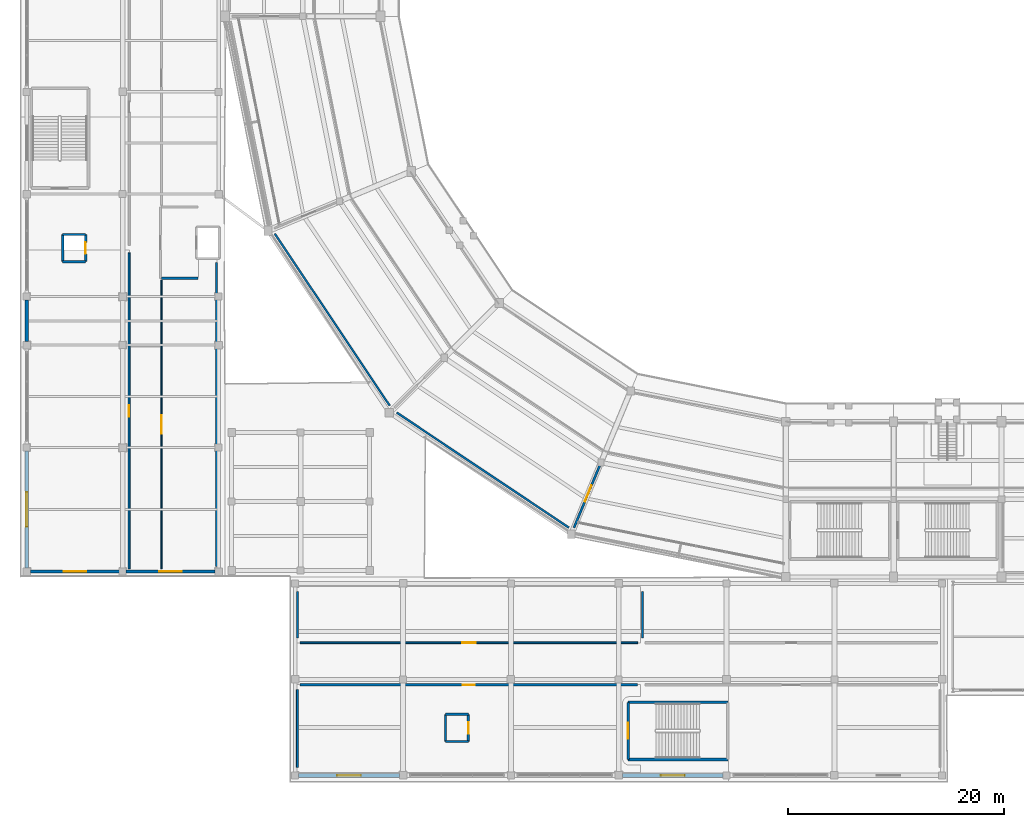
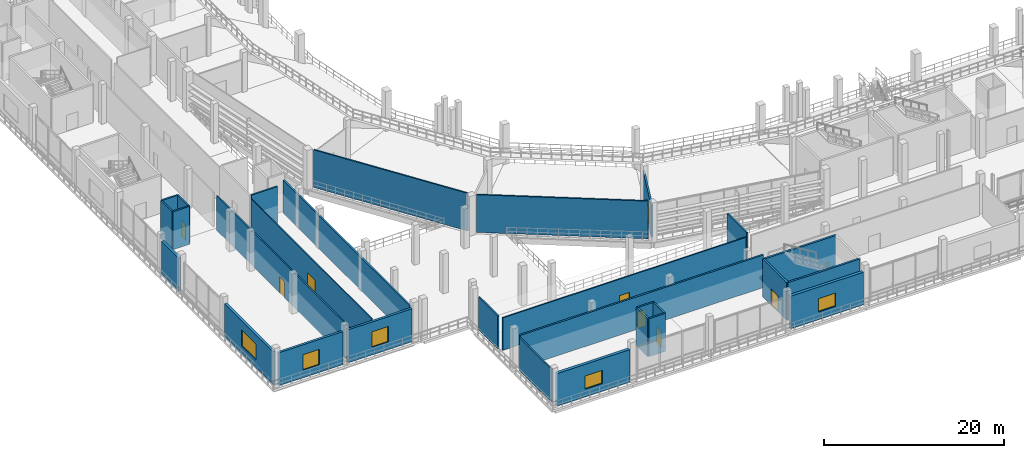
# One storey, part 72 of 127: 29 walls, 8 doors, 5 windows, 13 openings.
"""IFC4 building model written with IfcOpenShell, lengths in metres."""

from ifc_helpers import new_model, si_unit, direction, frame, frame_2d, origin, place, context, subcontext, project, spatial, rectangle, extrude, material, layer, layer_set, type_object, element, fill, save


model = new_model("IFC4")

# Units and contexts
model_context = context("Model", 3, precision=1e-05, world=origin(), true_north=direction((0.0, 1.0)))
body_context = subcontext(model_context, "Body", "Model", "MODEL_VIEW")
ifc_project = project(units=[si_unit("LENGTHUNIT", "METRE"), si_unit("AREAUNIT", "SQUARE_METRE"), si_unit("VOLUMEUNIT", "CUBIC_METRE"), si_unit("PLANEANGLEUNIT", "RADIAN"), si_unit("MASSUNIT", "GRAM", prefix="KILO")], contexts=[model_context])

# Site, building, storey
site_placement = place(None, origin())
site = spatial("IfcSite", under=ifc_project, at=site_placement, CompositionType="ELEMENT")
building_placement = place(site_placement, origin())
building = spatial("IfcBuilding", under=site, at=building_placement, Name="Candeia Ridge Stadium", CompositionType="ELEMENT")
storey_placement = place(building_placement, frame((0.0, 0.0, 10.800048828125)))
storey = spatial("IfcBuildingStorey", under=building, at=storey_placement, Name="L02", CompositionType="ELEMENT", Elevation=10.800048828125)

# Walls
ifc_material_1 = material(Name="Concrete C40/50", Category="concrete")
ifc_layer_1 = layer(ifc_material_1, 0.25, Name="Concrete C40/50", Category="concrete")
ifc_layer_set_1 = layer_set([ifc_layer_1], Name="Concrete C40/50")
wall_type_1 = type_object("IfcWallType", Name="Core Shear Wall Concrete 250", PredefinedType="SHEAR", material=ifc_layer_set_1)
for number, where, z_axis, x_axis, name in (
    (1, (56.37548828125, 2.075439453125, 0.0), (0.0, 0.0, 1.0), (1.0, 0.0, 0.0), "Core C13 left shear wall L02"),
    (2, (65.62451171875, 7.37451171875, 0.0), (0.0, 0.0, 1.0), (-1.0, 0.0, 0.0), "Core C13 right shear wall L02"),
):
    element("IfcWall", number, at=place(storey_placement, frame(where, z_axis=z_axis, x_axis=x_axis)), inside=storey, type_object=wall_type_1, Name=name, PredefinedType="SHEAR", context=body_context, shape_type="SweptSolid", body=[
        extrude(rectangle(XDim=9.2490234375, YDim=0.25, at=frame_2d((4.62451171875, 0.0))), origin(), (0.0, 0.0, 1.0), 5.14990234375),
    ])

# Wall, opening, door
wall_1_placement = place(storey_placement, frame((56.37548828125, 7.37451171875, 0.0), z_axis=(0.0, 0.0, 1.0), x_axis=(0.0, -1.0, 0.0)))
wall_1 = element("IfcWall", 3, at=wall_1_placement, inside=storey, type_object=wall_type_1, Name="Core C13 near shear wall L02", PredefinedType="SHEAR", context=body_context, shape_type="SweptSolid", body=[
    extrude(rectangle(XDim=5.299072265625, YDim=0.25, at=frame_2d((2.6494140625, 0.0))), origin(), (0.0, 0.0, 1.0), 5.14990234375),
])
opening_1_placement = place(wall_1_placement, frame((1.899658203125, 0.0, 0.0)))
opening_1 = element("IfcOpeningElement", 4, at=opening_1_placement, cuts=wall_1, Name="Opening FD01", PredefinedType="OPENING", context=body_context, shape_type="SweptSolid", body=[
    extrude(rectangle(XDim=1.5, YDim=2.199951171875, at=frame_2d((0.75, 1.10009765625))), frame((0.0, 0.135009765625, 0.0), z_axis=(0.0, -1.0, 0.0), x_axis=(1.0, 0.0, 0.0)), (0.0, 0.0, 1.0), 0.27001953125),
])
ifc_material_2 = material(Name="Galvanized Fire-Rated Steel", Category="steel")
door_type_1 = type_object("IfcDoorType", Name="Exit Stair Core Fire Door 1500x2200", OperationType="NOTDEFINED", PredefinedType="DOOR", material=ifc_material_2)
door_1_placement = place(opening_1_placement, origin())
door_1 = element("IfcDoor", 5, at=door_1_placement, inside=storey, type_object=door_type_1, Name="Exit stair fire door SD-ST13-L02", OperationType="DOUBLE_DOOR_SINGLE_SWING", OverallHeight=2.199951171875, OverallWidth=1.5, PredefinedType="DOOR", context=body_context, shape_type="SweptSolid", body=[
    extrude(rectangle(XDim=1.5, YDim=2.199951171875, at=frame_2d((0.75, 1.10009765625))), frame((0.0, 0.02490234375, 0.0), z_axis=(0.0, -1.0, 0.0), x_axis=(1.0, 0.0, 0.0)), (0.0, 0.0, 1.0), 0.050048828125),
])
fill(opening_1, door_1)

# Walls
ifc_material_3 = material(Name="Gypsum Acoustic Twin-Stud Assembly", Category="gypsum")
ifc_layer_2 = layer(ifc_material_3, 0.179931640625, Name="Gypsum Acoustic Twin-Stud Assembly", Category="gypsum")
ifc_layer_set_2 = layer_set([ifc_layer_2], Name="Gypsum Acoustic Twin-Stud Assembly")
wall_type_2 = type_object("IfcWallType", Name="Corridor Fire Partition 180", PredefinedType="PARTITIONING", material=ifc_layer_set_2)
wall_2_placement = place(storey_placement, frame((25.699951171875, 1.35009765625, 0.0), z_axis=(0.0, 0.0, 1.0), x_axis=(0.0, 1.0, 0.0)))
element("IfcWall", 6, at=wall_2_placement, inside=storey, type_object=wall_type_2, Name="Demising partition PT-L02-0388", PredefinedType="PARTITIONING", context=body_context, shape_type="SweptSolid", body=[
    extrude(rectangle(XDim=7.199951171875, YDim=0.179931640625, at=frame_2d((3.60009765625, 0.0))), origin(), (0.0, 0.0, 1.0), 4.48486328125),
])
wall_3_placement = place(storey_placement, frame((34.26318359375, 34.887451171875, 0.0), z_axis=(0.0, 0.0, 1.0), x_axis=(-0.555562946988, 0.831474480627, 0.0)))
element("IfcWall", 7, at=wall_3_placement, inside=storey, type_object=wall_type_2, Name="Demising partition PT-L02-0472", PredefinedType="PARTITIONING", context=body_context, shape_type="SweptSolid", body=[
    extrude(rectangle(XDim=19.1923828125, YDim=0.179931640625, at=frame_2d((9.59619140625, 0.0))), origin(), (0.0, 0.0, 1.0), 5.119873046875),
])

# Wall, opening, door
ifc_material_4 = material(Name="Moisture-Resistant Masonry & Tile", Category="masonry")
ifc_layer_3 = layer(ifc_material_4, 0.22998046875, Name="Moisture-Resistant Masonry & Tile", Category="masonry")
ifc_layer_set_3 = layer_set([ifc_layer_3], Name="Moisture-Resistant Masonry & Tile")
wall_type_3 = type_object("IfcWallType", Name="Dressing Suite Wet-Wall Chase 230", PredefinedType="PLUMBINGWALL", material=ifc_layer_set_3)
wall_4_placement = place(storey_placement, frame((25.949951171875, 9.0, 0.0), z_axis=(0.0, 0.0, 1.0), x_axis=(1.0, 0.0, 0.0)))
wall_4 = element("IfcWall", 8, at=wall_4_placement, inside=storey, type_object=wall_type_3, Name="Interior partition PT-L02-0387", PredefinedType="PLUMBINGWALL", context=body_context, shape_type="SweptSolid", body=[
    extrude(rectangle(XDim=31.300048828125, YDim=0.22998046875, at=frame_2d((15.64990234375, 0.0))), origin(), (0.0, 0.0, 1.0), 4.43505859375),
])
opening_2_placement = place(wall_4_placement, frame((15.110107421875, 0.0, 0.0)))
opening_2 = element("IfcOpeningElement", 9, at=opening_2_placement, cuts=wall_4, Name="Opening ID08", PredefinedType="OPENING", context=body_context, shape_type="SweptSolid", body=[
    extrude(rectangle(XDim=1.080078125, YDim=2.25, at=frame_2d((0.5400390625, 1.125))), frame((0.0, 0.125, 0.0), z_axis=(0.0, -1.0, 0.0), x_axis=(1.0, 0.0, 0.0)), (0.0, 0.0, 1.0), 0.25),
])
ifc_material_5 = material(Name="Western Red Cedar Acoustic Veneer", Category="wood")
door_type_2 = type_object("IfcDoorType", Name="Executive Skybox Entry Door 1080x2250", OperationType="NOTDEFINED", PredefinedType="DOOR", material=ifc_material_5)
door_2_placement = place(opening_2_placement, frame((1.080078125, 0.0, 0.0), z_axis=(0.0, 0.0, 1.0), x_axis=(-1.0, 0.0, 0.0)))
door_2 = element("IfcDoor", 10, at=door_2_placement, inside=storey, type_object=door_type_2, Name="Interior room door D-L02-0201", OperationType="SINGLE_SWING_LEFT", OverallHeight=2.25, OverallWidth=1.080078125, PredefinedType="DOOR", context=body_context, shape_type="SweptSolid", body=[
    extrude(rectangle(XDim=1.080078125, YDim=2.25, at=frame_2d((0.5400390625, 1.125))), frame((0.0, 0.02490234375, 0.0), z_axis=(0.0, -1.0, 0.0), x_axis=(1.0, 0.0, 0.0)), (0.0, 0.0, 1.0), 0.050048828125),
])
fill(opening_2, door_2)

# Wall, opening, window
ifc_material_6 = material(Name="Concrete C35/45", Category="concrete")
ifc_layer_4 = layer(ifc_material_6, 0.320068359375, Name="Concrete C35/45", Category="concrete")
ifc_layer_set_4 = layer_set([ifc_layer_4], Name="Concrete C35/45")
wall_type_4 = type_object("IfcWallType", Name="Exterior Cedar-Clad Insulated Wall 320", PredefinedType="SOLIDWALL", material=ifc_layer_set_4)
wall_5_placement = place(storey_placement, frame((0.60009765625, 19.837890625, 0.0), z_axis=(0.0, 0.0, 1.0), x_axis=(0.0, 1.0, 0.0)))
wall_5 = element("IfcWall", 11, at=wall_5_placement, inside=storey, type_object=wall_type_4, Name="Exterior facade wall EW-L02-0075", PredefinedType="SOLIDWALL", context=body_context, shape_type="SweptSolid", body=[
    extrude(rectangle(XDim=10.84912109375, YDim=0.320068359375, at=frame_2d((5.424560546875, 0.0))), origin(), (0.0, 0.0, 1.0), 4.48486328125),
])
opening_3_placement = place(wall_5_placement, frame((3.824462890625, 0.0, 1.050048828125)))
opening_3 = element("IfcOpeningElement", 12, at=opening_3_placement, cuts=wall_5, Name="Opening W05", PredefinedType="OPENING", context=body_context, shape_type="SweptSolid", body=[
    extrude(rectangle(XDim=3.199951171875, YDim=2.199951171875, at=frame_2d((1.60009765625, 1.10009765625))), frame((0.0, 0.169921875, 0.0), z_axis=(0.0, -1.0, 0.0), x_axis=(1.0, 0.0, 0.0)), (0.0, 0.0, 1.0), 0.340087890625),
])
ifc_material_7 = material(Name="Tempered Solar-Control Double Glazing", Category="glass")
window_type_1 = type_object("IfcWindowType", Name="Club Dining Picture Window 3200x2200", PartitioningType="SINGLE_PANEL", PredefinedType="WINDOW", material=ifc_material_7)
window_1_placement = place(opening_3_placement, origin())
window_1 = element("IfcWindow", 13, at=window_1_placement, inside=storey, type_object=window_type_1, Name="Exterior window WIN-L02-030", OverallHeight=2.199951171875, OverallWidth=3.199951171875, PartitioningType="SINGLE_PANEL", PredefinedType="WINDOW", context=body_context, shape_type="SweptSolid", body=[
    extrude(rectangle(XDim=3.199951171875, YDim=2.199951171875, at=frame_2d((1.60009765625, 1.10009765625))), frame((0.0, 0.030029296875, 0.0), z_axis=(0.0, -1.0, 0.0), x_axis=(1.0, 0.0, 0.0)), (0.0, 0.0, 1.0), 0.06005859375),
])
fill(opening_3, window_1)

# Wall
wall_6_placement = place(storey_placement, frame((0.60009765625, 40.837890625, 0.0), z_axis=(0.0, 0.0, 1.0), x_axis=(0.0, 1.0, 0.0)))
element("IfcWall", 14, at=wall_6_placement, inside=storey, type_object=wall_type_4, Name="Exterior facade wall EW-L02-0076", PredefinedType="SOLIDWALL", context=body_context, shape_type="SweptSolid", body=[
    extrude(rectangle(XDim=3.84912109375, YDim=0.320068359375, at=frame_2d((1.924560546875, 0.0))), origin(), (0.0, 0.0, 1.0), 4.48486328125),
])

# Wall, opening, window
ifc_layer_5 = layer(ifc_material_1, 0.3798828125, Name="Concrete C40/50", Category="concrete")
ifc_layer_set_5 = layer_set([ifc_layer_5], Name="Concrete C40/50")
wall_type_5 = type_object("IfcWallType", Name="Exterior Museum Gallery Wall 380", PredefinedType="SOLIDWALL", material=ifc_layer_set_5)
wall_7_placement = place(storey_placement, frame((25.81298828125, 0.60009765625, 0.0), z_axis=(0.0, 0.0, 1.0), x_axis=(1.0, 0.0, 0.0)))
wall_7 = element("IfcWall", 15, at=wall_7_placement, inside=storey, type_object=wall_type_5, Name="Exterior facade wall EW-L02-0176", PredefinedType="SOLIDWALL", context=body_context, shape_type="SweptSolid", body=[
    extrude(rectangle(XDim=9.34912109375, YDim=0.3798828125, at=frame_2d((4.674560546875, 0.0))), origin(), (0.0, 0.0, 1.0), 4.43505859375),
])
opening_4_placement = place(wall_7_placement, frame((3.574462890625, 0.0, 1.050048828125)))
opening_4 = element("IfcOpeningElement", 16, at=opening_4_placement, cuts=wall_7, Name="Opening W07", PredefinedType="OPENING", context=body_context, shape_type="SweptSolid", body=[
    extrude(rectangle(XDim=2.199951171875, YDim=1.800048828125, at=frame_2d((1.10009765625, 0.89990234375))), frame((0.0, 0.199951171875, 0.0), z_axis=(0.0, -1.0, 0.0), x_axis=(1.0, 0.0, 0.0)), (0.0, 0.0, 1.0), 0.39990234375),
])
window_type_2 = type_object("IfcWindowType", Name="Museum Gallery Window 2200x1800", PartitioningType="SINGLE_PANEL", PredefinedType="WINDOW", material=ifc_material_7)
window_2_placement = place(opening_4_placement, origin())
window_2 = element("IfcWindow", 17, at=window_2_placement, inside=storey, type_object=window_type_2, Name="Exterior window WIN-L02-097", OverallHeight=1.800048828125, OverallWidth=2.199951171875, PartitioningType="SINGLE_PANEL", PredefinedType="WINDOW", context=body_context, shape_type="SweptSolid", body=[
    extrude(rectangle(XDim=2.199951171875, YDim=1.800048828125, at=frame_2d((1.10009765625, 0.89990234375))), frame((0.0, 0.030029296875, 0.0), z_axis=(0.0, -1.0, 0.0), x_axis=(1.0, 0.0, 0.0)), (0.0, 0.0, 1.0), 0.06005859375),
])
fill(opening_4, window_2)

wall_8_placement = place(storey_placement, frame((55.837890625, 0.60009765625, 0.0), z_axis=(0.0, 0.0, 1.0), x_axis=(1.0, 0.0, 0.0)))
wall_8 = element("IfcWall", 18, at=wall_8_placement, inside=storey, type_object=wall_type_5, Name="Exterior facade wall EW-L02-0177", PredefinedType="SOLIDWALL", context=body_context, shape_type="SweptSolid", body=[
    extrude(rectangle(XDim=9.34912109375, YDim=0.3798828125, at=frame_2d((4.674560546875, 0.0))), origin(), (0.0, 0.0, 1.0), 4.43505859375),
])
opening_5_placement = place(wall_8_placement, frame((3.574462890625, 0.0, 1.050048828125)))
opening_5 = element("IfcOpeningElement", 19, at=opening_5_placement, cuts=wall_8, Name="Opening W07", PredefinedType="OPENING", context=body_context, shape_type="SweptSolid", body=[
    extrude(rectangle(XDim=2.199951171875, YDim=1.800048828125, at=frame_2d((1.10009765625, 0.89990234375))), frame((0.0, 0.199951171875, 0.0), z_axis=(0.0, -1.0, 0.0), x_axis=(1.0, 0.0, 0.0)), (0.0, 0.0, 1.0), 0.39990234375),
])
window_3_placement = place(opening_5_placement, origin())
window_3 = element("IfcWindow", 20, at=window_3_placement, inside=storey, type_object=window_type_2, Name="Exterior window WIN-L02-098", OverallHeight=1.800048828125, OverallWidth=2.199951171875, PartitioningType="SINGLE_PANEL", PredefinedType="WINDOW", context=body_context, shape_type="SweptSolid", body=[
    extrude(rectangle(XDim=2.199951171875, YDim=1.800048828125, at=frame_2d((1.10009765625, 0.89990234375))), frame((0.0, 0.030029296875, 0.0), z_axis=(0.0, -1.0, 0.0), x_axis=(1.0, 0.0, 0.0)), (0.0, 0.0, 1.0), 0.06005859375),
])
fill(opening_5, window_3)

ifc_layer_6 = layer(ifc_material_6, 0.300048828125, Name="Concrete C35/45", Category="concrete")
ifc_layer_set_6 = layer_set([ifc_layer_6], Name="Concrete C35/45")
wall_type_6 = type_object("IfcWallType", Name="Exterior Pavilion Rainscreen Wall 300", PredefinedType="SOLIDWALL", material=ifc_layer_set_6)
wall_9_placement = place(storey_placement, frame((0.93798828125, 19.5, 0.0), z_axis=(0.0, 0.0, 1.0), x_axis=(1.0, 0.0, 0.0)))
wall_9 = element("IfcWall", 21, at=wall_9_placement, inside=storey, type_object=wall_type_6, Name="Exterior facade wall EW-L02-0083", PredefinedType="SOLIDWALL", context=body_context, shape_type="SweptSolid", body=[
    extrude(rectangle(XDim=8.2490234375, YDim=0.300048828125, at=frame_2d((4.12451171875, 0.0))), origin(), (0.0, 0.0, 1.0), 4.48486328125),
])
opening_6_placement = place(wall_9_placement, frame((3.074462890625, 0.0, 1.050048828125)))
opening_6 = element("IfcOpeningElement", 22, at=opening_6_placement, cuts=wall_9, Name="Opening W04", PredefinedType="OPENING", context=body_context, shape_type="SweptSolid", body=[
    extrude(rectangle(XDim=2.10009765625, YDim=2.10009765625, at=frame_2d((1.050048828125, 1.050048828125))), frame((0.0, 0.159912109375, 0.0), z_axis=(0.0, -1.0, 0.0), x_axis=(1.0, 0.0, 0.0)), (0.0, 0.0, 1.0), 0.320068359375),
])
window_type_3 = type_object("IfcWindowType", Name="Hospitality Ribbon Window 2100x2100", PartitioningType="SINGLE_PANEL", PredefinedType="WINDOW", material=ifc_material_7)
window_4_placement = place(opening_6_placement, origin())
window_4 = element("IfcWindow", 23, at=window_4_placement, inside=storey, type_object=window_type_3, Name="Exterior window WIN-L02-037", OverallHeight=2.10009765625, OverallWidth=2.10009765625, PartitioningType="SINGLE_PANEL", PredefinedType="WINDOW", context=body_context, shape_type="SweptSolid", body=[
    extrude(rectangle(XDim=2.10009765625, YDim=2.10009765625, at=frame_2d((1.050048828125, 1.050048828125))), frame((0.0, 0.030029296875, 0.0), z_axis=(0.0, -1.0, 0.0), x_axis=(1.0, 0.0, 0.0)), (0.0, 0.0, 1.0), 0.06005859375),
])
fill(opening_6, window_4)

wall_10_placement = place(storey_placement, frame((9.81298828125, 19.5, 0.0), z_axis=(0.0, 0.0, 1.0), x_axis=(1.0, 0.0, 0.0)))
wall_10 = element("IfcWall", 24, at=wall_10_placement, inside=storey, type_object=wall_type_6, Name="Exterior facade wall EW-L02-0084", PredefinedType="SOLIDWALL", context=body_context, shape_type="SweptSolid", body=[
    extrude(rectangle(XDim=8.2490234375, YDim=0.300048828125, at=frame_2d((4.12451171875, 0.0))), origin(), (0.0, 0.0, 1.0), 4.48486328125),
])
opening_7_placement = place(wall_10_placement, frame((3.074462890625, 0.0, 1.050048828125)))
opening_7 = element("IfcOpeningElement", 25, at=opening_7_placement, cuts=wall_10, Name="Opening W04", PredefinedType="OPENING", context=body_context, shape_type="SweptSolid", body=[
    extrude(rectangle(XDim=2.10009765625, YDim=2.10009765625, at=frame_2d((1.050048828125, 1.050048828125))), frame((0.0, 0.159912109375, 0.0), z_axis=(0.0, -1.0, 0.0), x_axis=(1.0, 0.0, 0.0)), (0.0, 0.0, 1.0), 0.320068359375),
])
window_5_placement = place(opening_7_placement, origin())
window_5 = element("IfcWindow", 26, at=window_5_placement, inside=storey, type_object=window_type_3, Name="Exterior window WIN-L02-038", OverallHeight=2.10009765625, OverallWidth=2.10009765625, PartitioningType="SINGLE_PANEL", PredefinedType="WINDOW", context=body_context, shape_type="SweptSolid", body=[
    extrude(rectangle(XDim=2.10009765625, YDim=2.10009765625, at=frame_2d((1.050048828125, 1.050048828125))), frame((0.0, 0.030029296875, 0.0), z_axis=(0.0, -1.0, 0.0), x_axis=(1.0, 0.0, 0.0)), (0.0, 0.0, 1.0), 0.06005859375),
])
fill(opening_7, window_5)

# Walls
ifc_layer_7 = layer(ifc_material_6, 0.199951171875, Name="Concrete C35/45", Category="concrete")
ifc_layer_set_7 = layer_set([ifc_layer_7], Name="Concrete C35/45")
wall_type_7 = type_object("IfcWallType", Name="Firefighting Lobby Rated Wall 200", PredefinedType="SOLIDWALL", material=ifc_layer_set_7)
wall_11_placement = place(storey_placement, frame((13.10009765625, 46.699951171875, 0.0), z_axis=(0.0, 0.0, 1.0), x_axis=(1.0, 0.0, 0.0)))
element("IfcWall", 27, at=wall_11_placement, inside=storey, type_object=wall_type_7, Name="Firefighting lift lobby FF1 rated wall L02 south", PredefinedType="SOLIDWALL", context=body_context, shape_type="SweptSolid", body=[
    extrude(rectangle(XDim=3.39990234375, YDim=0.199951171875, at=frame_2d((1.699951171875, 0.0))), origin(), (0.0, 0.0, 1.0), 5.119873046875),
])
ifc_layer_8 = layer(ifc_material_1, 0.219970703125, Name="Concrete C40/50", Category="concrete")
ifc_layer_set_8 = layer_set([ifc_layer_8], Name="Concrete C40/50")
wall_type_8 = type_object("IfcWallType", Name="Lift & Riser Shaft Wall 220", PredefinedType="SHEAR", material=ifc_layer_set_8)
wall_12_placement = place(storey_placement, frame((3.93994140625, 48.239990234375, 0.0), z_axis=(0.0, 0.0, 1.0), x_axis=(1.0, 0.0, 0.0)))
element("IfcWall", 28, at=wall_12_placement, inside=storey, type_object=wall_type_8, Name="Lift VL1 shaft wall L02 south", PredefinedType="SHEAR", context=body_context, shape_type="SweptSolid", body=[
    extrude(rectangle(XDim=2.1201171875, YDim=0.219970703125, at=frame_2d((1.06005859375, 0.0))), origin(), (0.0, 0.0, 1.0), 5.14990234375),
])

# Wall, opening, door
wall_13_placement = place(storey_placement, frame((6.06005859375, 48.239990234375, 0.0), z_axis=(0.0, 0.0, 1.0), x_axis=(0.0, 1.0, 0.0)))
wall_13 = element("IfcWall", 29, at=wall_13_placement, inside=storey, type_object=wall_type_8, Name="Lift VL1 shaft wall L02 east", PredefinedType="SHEAR", context=body_context, shape_type="SweptSolid", body=[
    extrude(rectangle(XDim=2.52001953125, YDim=0.219970703125, at=frame_2d((1.260009765625, 0.0))), origin(), (0.0, 0.0, 1.0), 5.14990234375),
])
opening_8_placement = place(wall_13_placement, frame((0.735107421875, 0.0, 0.0)))
opening_8 = element("IfcOpeningElement", 30, at=opening_8_placement, cuts=wall_13, Name="Opening LD02", PredefinedType="OPENING", context=body_context, shape_type="SweptSolid", body=[
    extrude(rectangle(XDim=1.050048828125, YDim=2.14990234375, at=frame_2d((0.52490234375, 1.074951171875))), frame((0.0, 0.119873046875, 0.0), z_axis=(0.0, -1.0, 0.0), x_axis=(1.0, 0.0, 0.0)), (0.0, 0.0, 1.0), 0.239990234375),
])
ifc_material_8 = material(Name="Brushed Stainless Steel", Category="steel")
door_type_3 = type_object("IfcDoorType", Name="Passenger Lift Landing Door 1050x2150", OperationType="NOTDEFINED", PredefinedType="DOOR", material=ifc_material_8)
door_3_placement = place(opening_8_placement, origin())
door_3 = element("IfcDoor", 31, at=door_3_placement, inside=storey, type_object=door_type_3, Name="Lift landing sliding door LD-VL1-L02", OperationType="DOUBLE_DOOR_SLIDING", OverallHeight=2.14990234375, OverallWidth=1.050048828125, PredefinedType="DOOR", context=body_context, shape_type="SweptSolid", body=[
    extrude(rectangle(XDim=1.050048828125, YDim=2.14990234375, at=frame_2d((0.52490234375, 1.074951171875))), frame((0.0, 0.02490234375, 0.0), z_axis=(0.0, -1.0, 0.0), x_axis=(1.0, 0.0, 0.0)), (0.0, 0.0, 1.0), 0.050048828125),
])
fill(opening_8, door_3)

# Walls
wall_14_placement = place(storey_placement, frame((6.06005859375, 50.760009765625, 0.0), z_axis=(0.0, 0.0, 1.0), x_axis=(-1.0, 0.0, 0.0)))
element("IfcWall", 32, at=wall_14_placement, inside=storey, type_object=wall_type_8, Name="Lift VL1 shaft wall L02 north", PredefinedType="SHEAR", context=body_context, shape_type="SweptSolid", body=[
    extrude(rectangle(XDim=2.1201171875, YDim=0.219970703125, at=frame_2d((1.06005859375, 0.0))), origin(), (0.0, 0.0, 1.0), 5.14990234375),
])
wall_15_placement = place(storey_placement, frame((3.93994140625, 50.760009765625, 0.0), z_axis=(0.0, 0.0, 1.0), x_axis=(0.0, -1.0, 0.0)))
element("IfcWall", 33, at=wall_15_placement, inside=storey, type_object=wall_type_8, Name="Lift VL1 shaft wall L02 west", PredefinedType="SHEAR", context=body_context, shape_type="SweptSolid", body=[
    extrude(rectangle(XDim=2.52001953125, YDim=0.219970703125, at=frame_2d((1.260009765625, 0.0))), origin(), (0.0, 0.0, 1.0), 5.14990234375),
])
wall_16_placement = place(storey_placement, frame((39.43994140625, 3.739990234375, 0.0), z_axis=(0.0, 0.0, 1.0), x_axis=(1.0, 0.0, 0.0)))
element("IfcWall", 34, at=wall_16_placement, inside=storey, type_object=wall_type_8, Name="Lift PL5 shaft wall L02 south", PredefinedType="SHEAR", context=body_context, shape_type="SweptSolid", body=[
    extrude(rectangle(XDim=2.1201171875, YDim=0.219970703125, at=frame_2d((1.06005859375, 0.0))), origin(), (0.0, 0.0, 1.0), 5.14990234375),
])

# Wall, opening, door
wall_17_placement = place(storey_placement, frame((41.56005859375, 3.739990234375, 0.0), z_axis=(0.0, 0.0, 1.0), x_axis=(0.0, 1.0, 0.0)))
wall_17 = element("IfcWall", 35, at=wall_17_placement, inside=storey, type_object=wall_type_8, Name="Lift PL5 shaft wall L02 east", PredefinedType="SHEAR", context=body_context, shape_type="SweptSolid", body=[
    extrude(rectangle(XDim=2.52001953125, YDim=0.219970703125, at=frame_2d((1.260009765625, 0.0))), origin(), (0.0, 0.0, 1.0), 5.14990234375),
])
opening_9_placement = place(wall_17_placement, frame((0.735107421875, 0.0, 0.0)))
opening_9 = element("IfcOpeningElement", 36, at=opening_9_placement, cuts=wall_17, Name="Opening LD02", PredefinedType="OPENING", context=body_context, shape_type="SweptSolid", body=[
    extrude(rectangle(XDim=1.050048828125, YDim=2.14990234375, at=frame_2d((0.52490234375, 1.074951171875))), frame((0.0, 0.119873046875, 0.0), z_axis=(0.0, -1.0, 0.0), x_axis=(1.0, 0.0, 0.0)), (0.0, 0.0, 1.0), 0.239990234375),
])
door_4_placement = place(opening_9_placement, origin())
door_4 = element("IfcDoor", 37, at=door_4_placement, inside=storey, type_object=door_type_3, Name="Lift landing sliding door LD-PL5-L02", OperationType="DOUBLE_DOOR_SLIDING", OverallHeight=2.14990234375, OverallWidth=1.050048828125, PredefinedType="DOOR", context=body_context, shape_type="SweptSolid", body=[
    extrude(rectangle(XDim=1.050048828125, YDim=2.14990234375, at=frame_2d((0.52490234375, 1.074951171875))), frame((0.0, 0.02490234375, 0.0), z_axis=(0.0, -1.0, 0.0), x_axis=(1.0, 0.0, 0.0)), (0.0, 0.0, 1.0), 0.050048828125),
])
fill(opening_9, door_4)

# Walls
wall_18_placement = place(storey_placement, frame((41.56005859375, 6.260009765625, 0.0), z_axis=(0.0, 0.0, 1.0), x_axis=(-1.0, 0.0, 0.0)))
element("IfcWall", 38, at=wall_18_placement, inside=storey, type_object=wall_type_8, Name="Lift PL5 shaft wall L02 north", PredefinedType="SHEAR", context=body_context, shape_type="SweptSolid", body=[
    extrude(rectangle(XDim=2.1201171875, YDim=0.219970703125, at=frame_2d((1.06005859375, 0.0))), origin(), (0.0, 0.0, 1.0), 5.14990234375),
])
wall_19_placement = place(storey_placement, frame((39.43994140625, 6.260009765625, 0.0), z_axis=(0.0, 0.0, 1.0), x_axis=(0.0, -1.0, 0.0)))
element("IfcWall", 39, at=wall_19_placement, inside=storey, type_object=wall_type_8, Name="Lift PL5 shaft wall L02 west", PredefinedType="SHEAR", context=body_context, shape_type="SweptSolid", body=[
    extrude(rectangle(XDim=2.52001953125, YDim=0.219970703125, at=frame_2d((1.260009765625, 0.0))), origin(), (0.0, 0.0, 1.0), 5.14990234375),
])
ifc_material_9 = material(Name="Gypsum Acoustic Triple-Board Wall", Category="gypsum")
ifc_layer_9 = layer(ifc_material_9, 0.18994140625, Name="Gypsum Acoustic Triple-Board Wall", Category="gypsum")
ifc_layer_set_9 = layer_set([ifc_layer_9], Name="Gypsum Acoustic Triple-Board Wall")
wall_type_9 = type_object("IfcWallType", Name="Media & Commentary Studio Wall 190", PredefinedType="PARTITIONING", material=ifc_layer_set_9)
wall_20_placement = place(storey_placement, frame((25.699951171875, 13.35009765625, 0.0), z_axis=(0.0, 0.0, 1.0), x_axis=(0.0, 1.0, 0.0)))
element("IfcWall", 40, at=wall_20_placement, inside=storey, type_object=wall_type_9, Name="Demising partition PT-L02-0390", PredefinedType="PARTITIONING", context=body_context, shape_type="SweptSolid", body=[
    extrude(rectangle(XDim=4.2998046875, YDim=0.18994140625, at=frame_2d((2.14990234375, 0.0))), origin(), (0.0, 0.0, 1.0), 4.48486328125),
])
wall_21_placement = place(storey_placement, frame((50.87939453125, 23.577880859375, 0.0), z_axis=(0.0, 0.0, 1.0), x_axis=(-0.831474480627, 0.555562946988, 0.0)))
element("IfcWall", 41, at=wall_21_placement, inside=storey, type_object=wall_type_9, Name="Demising partition PT-L02-0474", PredefinedType="PARTITIONING", context=body_context, shape_type="SweptSolid", body=[
    extrude(rectangle(XDim=19.1923828125, YDim=0.18994140625, at=frame_2d((9.59619140625, 0.0))), origin(), (0.0, 0.0, 1.0), 5.119873046875),
])
ifc_layer_10 = layer(ifc_material_4, 0.2099609375, Name="Moisture-Resistant Masonry & Tile", Category="masonry")
ifc_layer_set_10 = layer_set([ifc_layer_10], Name="Moisture-Resistant Masonry & Tile")
wall_type_10 = type_object("IfcWallType", Name="Sanitary Wet-Wall Plumbing Chase 210", PredefinedType="PLUMBINGWALL", material=ifc_layer_set_10)
wall_22_placement = place(storey_placement, frame((18.199951171875, 48.159912109375, 0.0), z_axis=(0.0, 0.0, 1.0), x_axis=(0.0, -1.0, 0.0)))
element("IfcWall", 42, at=wall_22_placement, inside=storey, type_object=wall_type_10, Name="Demising partition PT-L02-0338", PredefinedType="PLUMBINGWALL", context=body_context, shape_type="SweptSolid", body=[
    extrude(rectangle(XDim=28.2099609375, YDim=0.2099609375, at=frame_2d((14.10498046875, 0.0))), origin(), (0.0, 0.0, 1.0), 4.48486328125),
])
wall_23_placement = place(storey_placement, frame((57.699951171875, 13.35009765625, 0.0), z_axis=(0.0, 0.0, 1.0), x_axis=(0.0, 1.0, 0.0)))
element("IfcWall", 43, at=wall_23_placement, inside=storey, type_object=wall_type_10, Name="Demising partition PT-L02-0394", PredefinedType="PLUMBINGWALL", context=body_context, shape_type="SweptSolid", body=[
    extrude(rectangle(XDim=4.2998046875, YDim=0.2099609375, at=frame_2d((2.14990234375, 0.0))), origin(), (0.0, 0.0, 1.0), 4.635009765625),
])

# Wall, opening, door
wall_24_placement = place(storey_placement, frame((53.98974609375, 29.93359375, 0.0), z_axis=(0.0, 0.0, 1.0), x_axis=(-0.38269761686, -0.923873656974, 0.0)))
wall_24 = element("IfcWall", 44, at=wall_24_placement, inside=storey, type_object=wall_type_10, Name="Interior partition PT-L02-0473", PredefinedType="PLUMBINGWALL", context=body_context, shape_type="SweptSolid", body=[
    extrude(rectangle(XDim=6.900146484375, YDim=0.2099609375, at=frame_2d((3.4501953125, 0.0))), origin(), (0.0, 0.0, 1.0), 4.284912109375),
])
opening_10_placement = place(wall_24_placement, frame((2.64990234375, 0.0, 0.0)))
opening_10 = element("IfcOpeningElement", 45, at=opening_10_placement, cuts=wall_24, Name="Opening ID03", PredefinedType="OPENING", context=body_context, shape_type="SweptSolid", body=[
    extrude(rectangle(XDim=1.60009765625, YDim=2.199951171875, at=frame_2d((0.800048828125, 1.10009765625))), frame((0.0, 0.114990234375, 0.0), z_axis=(0.0, -1.0, 0.0), x_axis=(1.0, 0.0, 0.0)), (0.0, 0.0, 1.0), 0.22998046875),
])
ifc_material_10 = material(Name="Solid Core Hardwood Veneer", Category="wood")
door_type_4 = type_object("IfcDoorType", Name="Athlete Dressing Double Door 1600x2200", OperationType="NOTDEFINED", PredefinedType="DOOR", material=ifc_material_10)
door_5_placement = place(opening_10_placement, origin())
door_5 = element("IfcDoor", 46, at=door_5_placement, inside=storey, type_object=door_type_4, Name="Interior room door D-L02-0244", OperationType="DOUBLE_DOOR_SINGLE_SWING", OverallHeight=2.199951171875, OverallWidth=1.60009765625, PredefinedType="DOOR", context=body_context, shape_type="SweptSolid", body=[
    extrude(rectangle(XDim=1.60009765625, YDim=2.199951171875, at=frame_2d((0.800048828125, 1.10009765625))), frame((0.0, 0.02490234375, 0.0), z_axis=(0.0, -1.0, 0.0), x_axis=(1.0, 0.0, 0.0)), (0.0, 0.0, 1.0), 0.050048828125),
])
fill(opening_10, door_5)

ifc_layer_11 = layer(ifc_material_3, 0.169921875, Name="Gypsum Acoustic Twin-Stud Assembly", Category="gypsum")
ifc_layer_set_11 = layer_set([ifc_layer_11], Name="Gypsum Acoustic Twin-Stud Assembly")
wall_type_11 = type_object("IfcWallType", Name="Skybox Demising Acoustic Wall 170", PredefinedType="PARTITIONING", material=ifc_layer_set_11)
wall_25_placement = place(storey_placement, frame((10.10009765625, 49.050048828125, 0.0), z_axis=(0.0, 0.0, 1.0), x_axis=(0.0, -1.0, 0.0)))
wall_25 = element("IfcWall", 47, at=wall_25_placement, inside=storey, type_object=wall_type_11, Name="Interior partition PT-L02-0336", PredefinedType="PARTITIONING", context=body_context, shape_type="SweptSolid", body=[
    extrude(rectangle(XDim=29.300048828125, YDim=0.169921875, at=frame_2d((14.64990234375, 0.0))), origin(), (0.0, 0.0, 1.0), 4.677978515625),
])
opening_11_placement = place(wall_25_placement, frame((14.125, 0.0, 0.0)))
opening_11 = element("IfcOpeningElement", 48, at=opening_11_placement, cuts=wall_25, Name="Opening ID01", PredefinedType="OPENING", context=body_context, shape_type="SweptSolid", body=[
    extrude(rectangle(XDim=1.050048828125, YDim=2.199951171875, at=frame_2d((0.52490234375, 1.10009765625))), frame((0.0, 0.094970703125, 0.0), z_axis=(0.0, -1.0, 0.0), x_axis=(1.0, 0.0, 0.0)), (0.0, 0.0, 1.0), 0.18994140625),
])
door_type_5 = type_object("IfcDoorType", Name="Hospitality Suite Entrance Door 1050x2200", OperationType="NOTDEFINED", PredefinedType="DOOR", material=ifc_material_5)
door_6_placement = place(opening_11_placement, frame((1.050048828125, 0.0, 0.0), z_axis=(0.0, 0.0, 1.0), x_axis=(-1.0, 0.0, 0.0)))
door_6 = element("IfcDoor", 49, at=door_6_placement, inside=storey, type_object=door_type_5, Name="Interior room door D-L02-0173", OperationType="SINGLE_SWING_LEFT", OverallHeight=2.199951171875, OverallWidth=1.050048828125, PredefinedType="DOOR", context=body_context, shape_type="SweptSolid", body=[
    extrude(rectangle(XDim=1.050048828125, YDim=2.199951171875, at=frame_2d((0.52490234375, 1.10009765625))), frame((0.0, 0.02490234375, 0.0), z_axis=(0.0, -1.0, 0.0), x_axis=(1.0, 0.0, 0.0)), (0.0, 0.0, 1.0), 0.050048828125),
])
fill(opening_11, door_6)

wall_26_placement = place(storey_placement, frame((57.25, 12.89990234375, 0.0), z_axis=(0.0, 0.0, 1.0), x_axis=(-1.0, 0.0, 0.0)))
wall_26 = element("IfcWall", 50, at=wall_26_placement, inside=storey, type_object=wall_type_11, Name="Interior partition PT-L02-0389", PredefinedType="PARTITIONING", context=body_context, shape_type="SweptSolid", body=[
    extrude(rectangle(XDim=31.300048828125, YDim=0.169921875, at=frame_2d((15.64990234375, 0.0))), origin(), (0.0, 0.0, 1.0), 4.43505859375),
])
opening_12_placement = place(wall_26_placement, frame((15.02490234375, 0.0, 0.0)))
opening_12 = element("IfcOpeningElement", 51, at=opening_12_placement, cuts=wall_26, Name="Opening ID11", PredefinedType="OPENING", context=body_context, shape_type="SweptSolid", body=[
    extrude(rectangle(XDim=1.25, YDim=2.199951171875, at=frame_2d((0.625, 1.10009765625))), frame((0.0, 0.094970703125, 0.0), z_axis=(0.0, -1.0, 0.0), x_axis=(1.0, 0.0, 0.0)), (0.0, 0.0, 1.0), 0.18994140625),
])
ifc_material_11 = material(Name="Acoustic Timber Studio Leaf", Category="wood")
door_type_6 = type_object("IfcDoorType", Name="Press Tribune Acoustic Door 1250x2200", OperationType="NOTDEFINED", PredefinedType="DOOR", material=ifc_material_11)
door_7_placement = place(opening_12_placement, frame((1.25, 0.0, 0.0), z_axis=(0.0, 0.0, 1.0), x_axis=(-1.0, 0.0, 0.0)))
door_7 = element("IfcDoor", 52, at=door_7_placement, inside=storey, type_object=door_type_6, Name="Interior room door D-L02-0202", OperationType="SINGLE_SWING_RIGHT", OverallHeight=2.199951171875, OverallWidth=1.25, PredefinedType="DOOR", context=body_context, shape_type="SweptSolid", body=[
    extrude(rectangle(XDim=1.25, YDim=2.199951171875, at=frame_2d((0.625, 1.10009765625))), frame((0.0, 0.02490234375, 0.0), z_axis=(0.0, -1.0, 0.0), x_axis=(1.0, 0.0, 0.0)), (0.0, 0.0, 1.0), 0.050048828125),
])
fill(opening_12, door_7)

ifc_material_12 = material(Name="Gypsum Metal-Stud Partition", Category="gypsum")
ifc_layer_12 = layer(ifc_material_12, 0.1298828125, Name="Gypsum Metal-Stud Partition", Category="gypsum")
ifc_layer_set_12 = layer_set([ifc_layer_12], Name="Gypsum Metal-Stud Partition")
wall_type_12 = type_object("IfcWallType", Name="Ticketing Back-Office Partition 130", PredefinedType="PARTITIONING", material=ifc_layer_set_12)
wall_27_placement = place(storey_placement, frame((13.10009765625, 19.75, 0.0), z_axis=(0.0, 0.0, 1.0), x_axis=(0.0, 1.0, 0.0)))
wall_27 = element("IfcWall", 53, at=wall_27_placement, inside=storey, type_object=wall_type_12, Name="Interior partition PT-L02-0337", PredefinedType="PARTITIONING", context=body_context, shape_type="SweptSolid", body=[
    extrude(rectangle(XDim=26.760009765625, YDim=0.1298828125, at=frame_2d((13.3798828125, 0.0))), origin(), (0.0, 0.0, 1.0), 4.677978515625),
])
opening_13_placement = place(wall_27_placement, frame((12.530029296875, 0.0, 0.0)))
opening_13 = element("IfcOpeningElement", 54, at=opening_13_placement, cuts=wall_27, Name="Opening ID09", PredefinedType="OPENING", context=body_context, shape_type="SweptSolid", body=[
    extrude(rectangle(XDim=1.699951171875, YDim=2.25, at=frame_2d((0.85009765625, 1.125))), frame((0.0, 0.074951171875, 0.0), z_axis=(0.0, -1.0, 0.0), x_axis=(1.0, 0.0, 0.0)), (0.0, 0.0, 1.0), 0.14990234375),
])
ifc_material_13 = material(Name="Timber Fire-Rated Acoustic", Category="wood")
door_type_7 = type_object("IfcDoorType", Name="Founders Lounge Double Door 1700x2250", OperationType="NOTDEFINED", PredefinedType="DOOR", material=ifc_material_13)
door_8_placement = place(opening_13_placement, origin())
door_8 = element("IfcDoor", 55, at=door_8_placement, inside=storey, type_object=door_type_7, Name="Interior room door D-L02-0174", OperationType="DOUBLE_DOOR_SINGLE_SWING", OverallHeight=2.25, OverallWidth=1.699951171875, PredefinedType="DOOR", context=body_context, shape_type="SweptSolid", body=[
    extrude(rectangle(XDim=1.699951171875, YDim=2.25, at=frame_2d((0.85009765625, 1.125))), frame((0.0, 0.02490234375, 0.0), z_axis=(0.0, -1.0, 0.0), x_axis=(1.0, 0.0, 0.0)), (0.0, 0.0, 1.0), 0.050048828125),
])
fill(opening_13, door_8)

save(model, "model.ifc")
